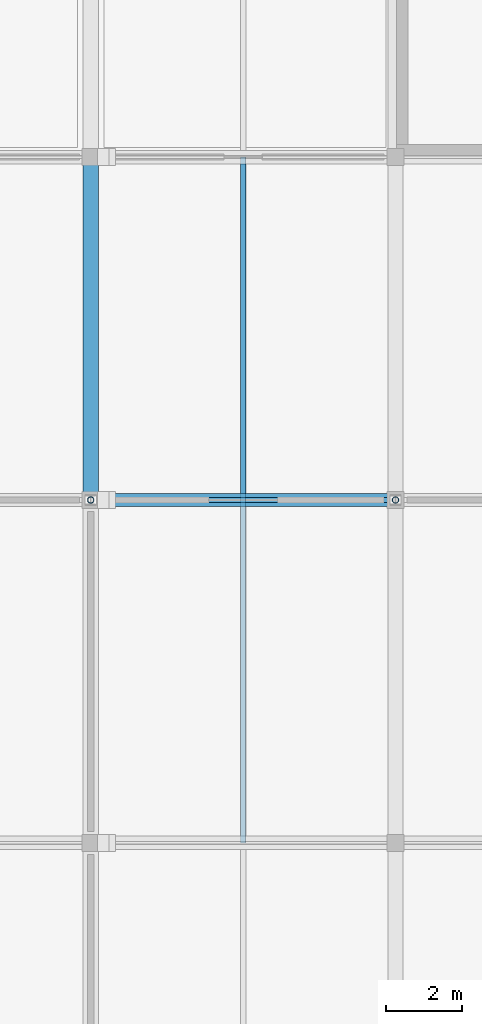
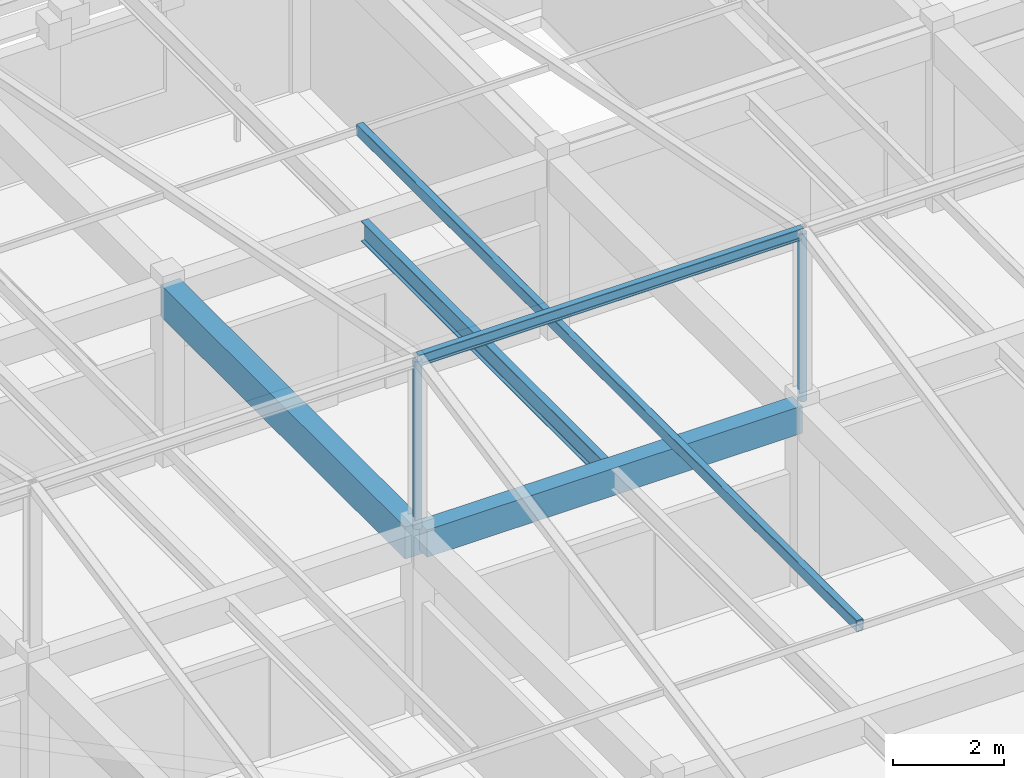
# One storey, part 74 of 126: 4 beams, 3 members.
"""IFC4 building model written with IfcOpenShell, lengths in metres."""

from ifc_helpers import new_model, si_unit, direction, frame, origin, origin_2d, place, context, subcontext, project, spatial, rectangle, hollow_rectangle, hollow_circle, i_section, extrude, material, material_profile, profile_set, type_object, element, save


model = new_model("IFC4")

# Units and contexts
model_context = context("Model", 3, precision=1e-05, world=origin(), true_north=direction((0.0, 1.0)))
body_context = subcontext(model_context, "Body", "Model", "MODEL_VIEW")
ifc_project = project(units=[si_unit("LENGTHUNIT", "METRE"), si_unit("AREAUNIT", "SQUARE_METRE"), si_unit("VOLUMEUNIT", "CUBIC_METRE"), si_unit("PLANEANGLEUNIT", "RADIAN"), si_unit("MASSUNIT", "GRAM", prefix="KILO")], contexts=[model_context])

# Site, building, storey
site_placement = place(None, origin())
site = spatial("IfcSite", under=ifc_project, at=site_placement, CompositionType="ELEMENT")
building_placement = place(site_placement, origin())
building = spatial("IfcBuilding", under=site, at=building_placement, Name="Varnabhumi Central Station", CompositionType="ELEMENT")
storey_placement = place(building_placement, frame((0.0, 0.0, 16.199951171875)))
storey = spatial("IfcBuildingStorey", under=building, at=storey_placement, Name="L03", CompositionType="ELEMENT", Elevation=16.199951171875)

# Beams
ifc_material_1 = material(Name="Structural steel E350", Category="steel")
ifc_material_profile_1 = material_profile(ifc_material_1, i_section(OverallWidth=0.14990234375, OverallDepth=0.449951171875, WebThickness=0.009521484375, FlangeThickness=0.017333984375, FilletRadius=0.014892578125, at=origin_2d()), Name="Structural steel E350", Category="steel")
ifc_profile_set_1 = profile_set([ifc_material_profile_1], Name="Structural steel E350")
beam_type_1 = type_object("IfcBeamType", Name="BM-JST-ISMB450", PredefinedType="JOIST", material=ifc_profile_set_1)
beam_1_placement = place(storey_placement, frame((124.0, 98.175048828125, 3.72509765625), z_axis=(0.0, 1.0, 0.0), x_axis=(-1.0, 0.0, 0.0)))
element("IfcBeam", 1, at=beam_1_placement, inside=storey, type_object=beam_type_1, Name="Secondary Joist L03-16/17:M-N", PredefinedType="JOIST", context=body_context, shape_type="SweptSolid", body=[
    extrude(i_section(OverallWidth=0.14990234375, OverallDepth=0.449951171875, WebThickness=0.009521484375, FlangeThickness=0.017333984375, FilletRadius=0.014892578125, at=origin_2d()), origin(), (0.0, 0.0, 1.0), 8.64990234375),
])
ifc_material_profile_2 = material_profile(ifc_material_1, i_section(OverallWidth=0.125, OverallDepth=0.25, WebThickness=0.0068359375, FlangeThickness=0.012451171875, FilletRadius=0.012939453125, at=origin_2d()), Name="Structural steel E350", Category="steel")
ifc_profile_set_2 = profile_set([ifc_material_profile_2], Name="Structural steel E350")
beam_type_2 = type_object("IfcBeamType", Name="BM-PUR-ISMB250", PredefinedType="JOIST", material=ifc_profile_set_2)
beam_2_placement = place(storey_placement, frame((120.0, 98.0, 7.630126953125), z_axis=(1.0, 0.0, 0.0), x_axis=(0.0, 1.0, 0.0)))
element("IfcBeam", 2, at=beam_2_placement, inside=storey, type_object=beam_type_2, Name="Mission Roof Ridge Beam NW4-4", PredefinedType="JOIST", context=body_context, shape_type="SweptSolid", body=[
    extrude(i_section(OverallWidth=0.125, OverallDepth=0.25, WebThickness=0.0068359375, FlangeThickness=0.012451171875, FilletRadius=0.012939453125, at=origin_2d()), origin(), (0.0, 0.0, 1.0), 8.0),
])
ifc_material_2 = material(Name="Concrete M40", Category="concrete")
ifc_material_profile_3 = material_profile(ifc_material_2, rectangle(XDim=0.35009765625, YDim=0.60009765625, at=origin_2d()), Name="Concrete M40", Category="concrete")
ifc_profile_set_3 = profile_set([ifc_material_profile_3], Name="Concrete M40")
beam_type_3 = type_object("IfcBeamType", Name="BM-RC-350x600", PredefinedType="BEAM", material=ifc_profile_set_3)
beam_3_placement = place(storey_placement, frame((120.10009765625, 98.0, 3.650146484375), z_axis=(1.0, 0.0, 0.0), x_axis=(0.0, 1.0, 0.0)))
element("IfcBeam", 3, at=beam_3_placement, inside=storey, type_object=beam_type_3, Name="Beam L03-M:16-17", PredefinedType="BEAM", context=body_context, shape_type="SweptSolid", body=[
    extrude(rectangle(XDim=0.35009765625, YDim=0.60009765625, at=origin_2d()), origin(), (0.0, 0.0, 1.0), 7.7998046875),
])
ifc_material_profile_4 = material_profile(ifc_material_2, rectangle(XDim=0.39990234375, YDim=0.699951171875, at=origin_2d()), Name="Concrete M40", Category="concrete")
ifc_profile_set_4 = profile_set([ifc_material_profile_4], Name="Concrete M40")
beam_type_4 = type_object("IfcBeamType", Name="BM-RC-700x400", PredefinedType="BEAM", material=ifc_profile_set_4)
beam_4_placement = place(storey_placement, frame((120.0, 98.10009765625, 3.60009765625), z_axis=(0.0, 1.0, 0.0), x_axis=(-1.0, 0.0, 0.0)))
element("IfcBeam", 4, at=beam_4_placement, inside=storey, type_object=beam_type_4, Name="Beam L03-16:M-N", PredefinedType="BEAM", context=body_context, shape_type="SweptSolid", body=[
    extrude(rectangle(XDim=0.39990234375, YDim=0.699951171875, at=origin_2d()), origin(), (0.0, 0.0, 1.0), 8.7998046875),
])

# Members
ifc_material_profile_5 = material_profile(ifc_material_1, hollow_rectangle(XDim=0.14990234375, YDim=0.25, WallThickness=0.010009765625, InnerFilletRadius=0.010009765625, OuterFilletRadius=0.02001953125, at=origin_2d()), Name="Structural steel E350", Category="steel")
ifc_profile_set_5 = profile_set([ifc_material_profile_5], Name="Structural steel E350")
member_type_1 = type_object("IfcMemberType", Name="MBR-COLLAR-RHS", PredefinedType="COLLAR", material=ifc_profile_set_5)
member_placement = place(storey_placement, frame((124.0, 89.0, 5.844970703125), z_axis=(0.0, 1.0, 0.0), x_axis=(-1.0, 0.0, 0.0)))
element("IfcMember", 5, at=member_placement, inside=storey, type_object=member_type_1, Name="Mission Roof Collar Tie NW4-4", PredefinedType="COLLAR", context=body_context, shape_type="SweptSolid", body=[
    extrude(hollow_rectangle(XDim=0.14990234375, YDim=0.25, WallThickness=0.010009765625, InnerFilletRadius=0.010009765625, OuterFilletRadius=0.02001953125, at=origin_2d()), origin(), (0.0, 0.0, 1.0), 18.0),
])
ifc_material_profile_6 = material_profile(ifc_material_1, hollow_circle(Radius=0.084228515625, WallThickness=0.008056640625, at=origin_2d()), Name="Structural steel E350", Category="steel")
ifc_profile_set_6 = profile_set([ifc_material_profile_6], Name="Structural steel E350")
member_type_2 = type_object("IfcMemberType", Name="MBR-STRUT-CHS168", PredefinedType="STRUT", material=ifc_profile_set_6)
for number, where, z_axis, x_axis, name in (
    (6, (120.0, 98.0, 3.949951171875), (0.0, 0.0, 1.0), (1.0, 0.0, 0.0), "Mission Roof King Strut NW4-4"),
    (7, (128.0, 98.0, 3.949951171875), (0.0, 0.0, 1.0), (1.0, 0.0, 0.0), "Mission Roof King Strut NW4-5"),
):
    element("IfcMember", number, at=place(storey_placement, frame(where, z_axis=z_axis, x_axis=x_axis)), inside=storey, type_object=member_type_2, Name=name, PredefinedType="STRUT", context=body_context, shape_type="SweptSolid", body=[
        extrude(hollow_circle(Radius=0.084228515625, WallThickness=0.008056640625, at=origin_2d()), origin(), (0.0, 0.0, 1.0), 3.68017578125),
    ])

save(model, "model.ifc")
